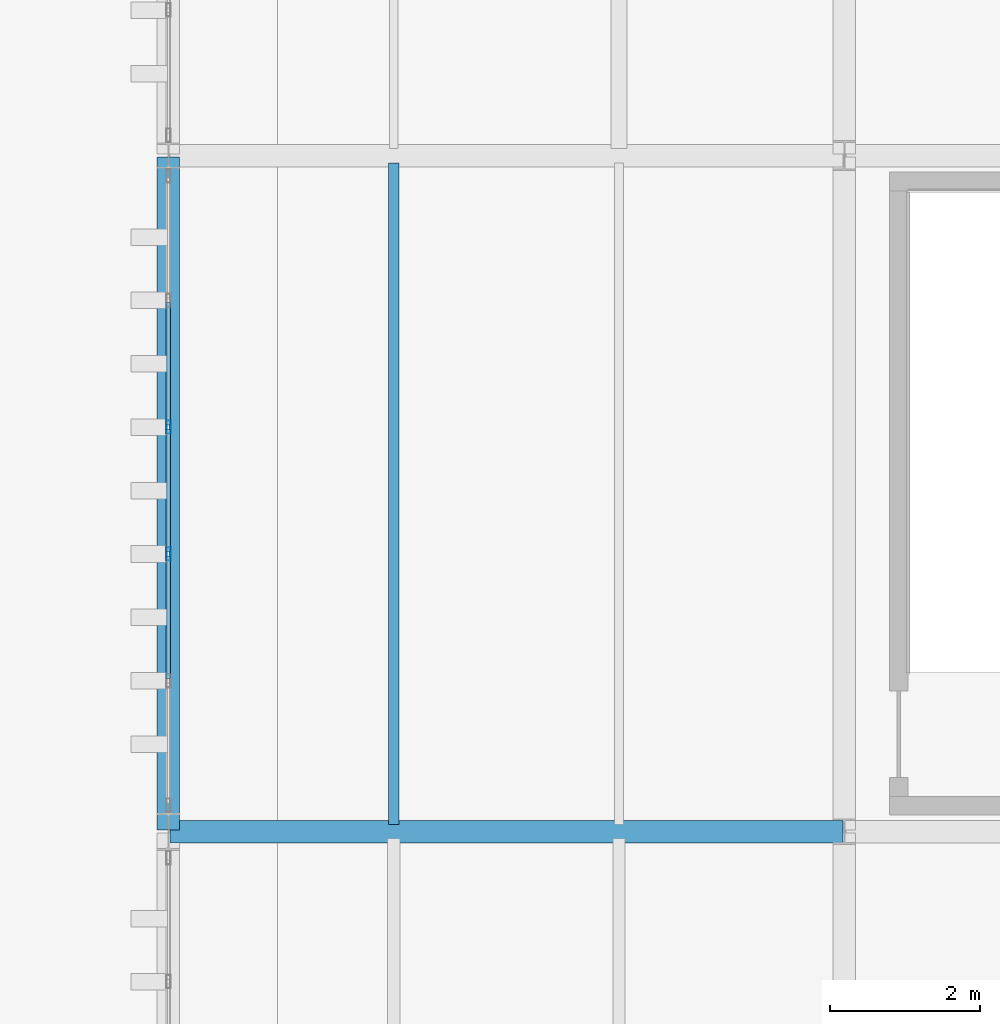
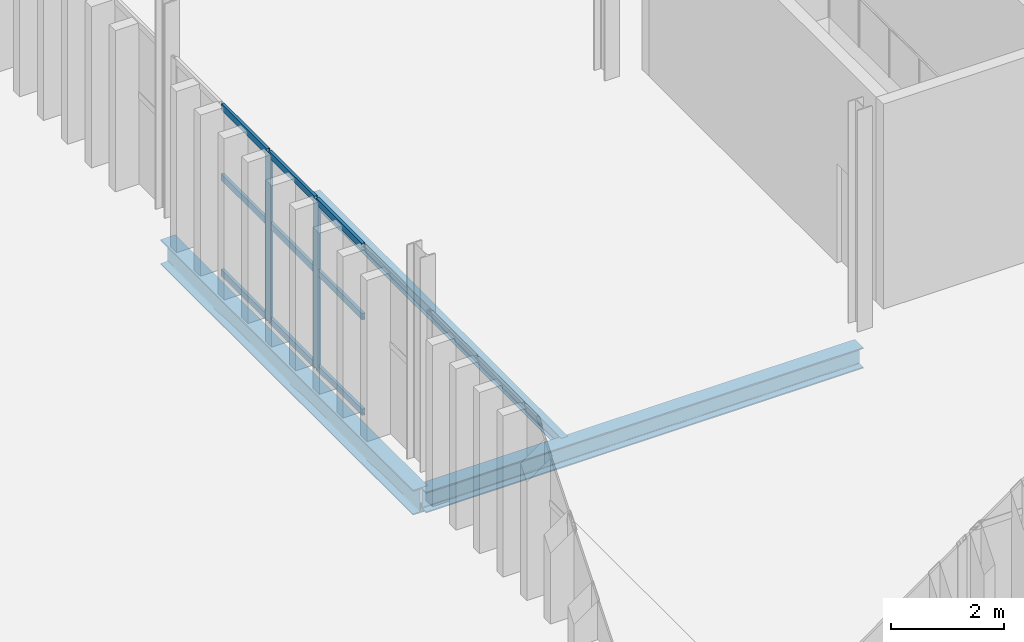
# One storey, part 105 of 196: 11 members, 3 beams, 1 element without a shape of its own.
"""IFC4 building model written with IfcOpenShell, lengths in metres."""

from ifc_helpers import new_model, si_unit, direction, frame, origin, origin_2d, place, context, subcontext, project, spatial, hollow_rectangle, i_section, extrude, material, layer, layer_set, material_profile, profile_set, type_object, element, aggregate, save


model = new_model("IFC4")

# Units and contexts
model_context = context("Model", 3, precision=1e-05, world=origin(), true_north=direction((0.0, 1.0)))
body_context = subcontext(model_context, "Body", "Model", "MODEL_VIEW")
ifc_project = project(units=[si_unit("LENGTHUNIT", "METRE"), si_unit("AREAUNIT", "SQUARE_METRE"), si_unit("VOLUMEUNIT", "CUBIC_METRE"), si_unit("PLANEANGLEUNIT", "RADIAN"), si_unit("MASSUNIT", "GRAM", prefix="KILO")], contexts=[model_context])

# Site, building, storey
site_placement = place(None, origin())
site = spatial("IfcSite", under=ifc_project, at=site_placement, CompositionType="ELEMENT")
building_placement = place(site_placement, origin())
building = spatial("IfcBuilding", under=site, at=building_placement, Name="Barlavento Convention Centre", CompositionType="ELEMENT")
storey_placement = place(building_placement, frame((0.0, 0.0, 18.0)))
storey = spatial("IfcBuildingStorey", under=building, at=storey_placement, Name="L03", CompositionType="ELEMENT", Elevation=18.0)

# Curtain wall, members
ifc_material_1 = material(Name="Powder-coated aluminium and Low-E glass", Category="aluminium")
ifc_layer = layer(ifc_material_1, 0.179931640625)
ifc_layer_set = layer_set([ifc_layer], Name="ARC-CW-CONF-L03")
curtain_wall_type = type_object("IfcCurtainWallType", Name="ARC-CW-CONF-L03", PredefinedType="NOTDEFINED", material=ifc_layer_set)
curtain_wall_placement = place(storey_placement, origin())
curtain_wall = element("IfcCurtainWall", 1, at=curtain_wall_placement, inside=storey, type_object=curtain_wall_type, Name="L03 unitised curtain wall CW08", PredefinedType="NOTDEFINED")
ifc_material_2 = material(Name="Powder-coated aluminium", Category="aluminium")
ifc_material_profile_1 = material_profile(ifc_material_2, hollow_rectangle(XDim=0.06005859375, YDim=0.179931640625, WallThickness=0.0048828125, at=origin_2d()), Name="AL-MULL 60x180x5")
ifc_profile_set_1 = profile_set([ifc_material_profile_1], Name="Powder-coated aluminium")
member_type_1 = type_object("IfcMemberType", Name="ARC-CWM-60X180", PredefinedType="MULLION", material=ifc_profile_set_1)
member_1_placement = place(storey_placement, frame((171.0, 12.696044921875, 0.0), z_axis=(0.0, 0.0, 1.0), x_axis=(-1.0, 0.0, 0.0)))
member_1 = element("IfcMember", 2, at=member_1_placement, type_object=member_type_1, Name="CW08 mullion 3", PredefinedType="MULLION", context=body_context, shape_type="SweptSolid", body=[
    extrude(hollow_rectangle(XDim=0.06005859375, YDim=0.179931640625, WallThickness=0.0048828125, at=origin_2d()), origin(), (0.0, 0.0, 1.0), 3.64990234375),
])
member_2_placement = place(storey_placement, frame((171.0, 14.384033203125, 0.0), z_axis=(0.0, 0.0, 1.0), x_axis=(-1.0, 0.0, 0.0)))
member_2 = element("IfcMember", 3, at=member_2_placement, type_object=member_type_1, Name="CW08 mullion 4", PredefinedType="MULLION", context=body_context, shape_type="SweptSolid", body=[
    extrude(hollow_rectangle(XDim=0.06005859375, YDim=0.179931640625, WallThickness=0.0048828125, at=origin_2d()), origin(), (0.0, 0.0, 1.0), 3.64990234375),
])
ifc_material_profile_2 = material_profile(ifc_material_2, hollow_rectangle(XDim=0.06005859375, YDim=0.139892578125, WallThickness=0.00390625, at=origin_2d()), Name="AL-TRAN 60x140x4")
ifc_profile_set_2 = profile_set([ifc_material_profile_2], Name="Powder-coated aluminium")
member_type_2 = type_object("IfcMemberType", Name="ARC-CWT-60X140", PredefinedType="USERDEFINED", material=ifc_profile_set_2)
member_3_placement = place(storey_placement, frame((171.0, 11.0380859375, 0.030029296875), z_axis=(0.0, 1.0, 0.0), x_axis=(-1.0, 0.0, 0.0)))
member_3 = element("IfcMember", 4, at=member_3_placement, type_object=member_type_2, Name="CW08 transom 2.1", ObjectType="TRANSOM", PredefinedType="USERDEFINED", context=body_context, shape_type="SweptSolid", body=[
    extrude(hollow_rectangle(XDim=0.06005859375, YDim=0.139892578125, WallThickness=0.00390625, at=origin_2d()), origin(), (0.0, 0.0, 1.0), 1.6279296875),
])
member_4_placement = place(storey_placement, frame((171.0, 11.0380859375, 2.10009765625), z_axis=(0.0, 1.0, 0.0), x_axis=(-1.0, 0.0, 0.0)))
member_4 = element("IfcMember", 5, at=member_4_placement, type_object=member_type_2, Name="CW08 transom 2.2", ObjectType="TRANSOM", PredefinedType="USERDEFINED", context=body_context, shape_type="SweptSolid", body=[
    extrude(hollow_rectangle(XDim=0.06005859375, YDim=0.139892578125, WallThickness=0.00390625, at=origin_2d()), origin(), (0.0, 0.0, 1.0), 1.6279296875),
])
member_5_placement = place(storey_placement, frame((171.0, 11.0380859375, 3.6201171875), z_axis=(0.0, 1.0, 0.0), x_axis=(-1.0, 0.0, 0.0)))
member_5 = element("IfcMember", 6, at=member_5_placement, type_object=member_type_2, Name="CW08 transom 2.3", ObjectType="TRANSOM", PredefinedType="USERDEFINED", context=body_context, shape_type="SweptSolid", body=[
    extrude(hollow_rectangle(XDim=0.06005859375, YDim=0.139892578125, WallThickness=0.00390625, at=origin_2d()), origin(), (0.0, 0.0, 1.0), 1.6279296875),
])
member_6_placement = place(storey_placement, frame((171.0, 12.72607421875, 0.030029296875), z_axis=(0.0, 1.0, 0.0), x_axis=(-1.0, 0.0, 0.0)))
member_6 = element("IfcMember", 7, at=member_6_placement, type_object=member_type_2, Name="CW08 transom 3.1", ObjectType="TRANSOM", PredefinedType="USERDEFINED", context=body_context, shape_type="SweptSolid", body=[
    extrude(hollow_rectangle(XDim=0.06005859375, YDim=0.139892578125, WallThickness=0.00390625, at=origin_2d()), origin(), (0.0, 0.0, 1.0), 1.6279296875),
])
member_7_placement = place(storey_placement, frame((171.0, 12.72607421875, 2.10009765625), z_axis=(0.0, 1.0, 0.0), x_axis=(-1.0, 0.0, 0.0)))
member_7 = element("IfcMember", 8, at=member_7_placement, type_object=member_type_2, Name="CW08 transom 3.2", ObjectType="TRANSOM", PredefinedType="USERDEFINED", context=body_context, shape_type="SweptSolid", body=[
    extrude(hollow_rectangle(XDim=0.06005859375, YDim=0.139892578125, WallThickness=0.00390625, at=origin_2d()), origin(), (0.0, 0.0, 1.0), 1.6279296875),
])
member_8_placement = place(storey_placement, frame((171.0, 12.72607421875, 3.6201171875), z_axis=(0.0, 1.0, 0.0), x_axis=(-1.0, 0.0, 0.0)))
member_8 = element("IfcMember", 9, at=member_8_placement, type_object=member_type_2, Name="CW08 transom 3.3", ObjectType="TRANSOM", PredefinedType="USERDEFINED", context=body_context, shape_type="SweptSolid", body=[
    extrude(hollow_rectangle(XDim=0.06005859375, YDim=0.139892578125, WallThickness=0.00390625, at=origin_2d()), origin(), (0.0, 0.0, 1.0), 1.6279296875),
])
member_9_placement = place(storey_placement, frame((171.0, 14.4140625, 0.030029296875), z_axis=(0.0, 1.0, 0.0), x_axis=(-1.0, 0.0, 0.0)))
member_9 = element("IfcMember", 10, at=member_9_placement, type_object=member_type_2, Name="CW08 transom 4.1", ObjectType="TRANSOM", PredefinedType="USERDEFINED", context=body_context, shape_type="SweptSolid", body=[
    extrude(hollow_rectangle(XDim=0.06005859375, YDim=0.139892578125, WallThickness=0.00390625, at=origin_2d()), origin(), (0.0, 0.0, 1.0), 1.6279296875),
])
member_10_placement = place(storey_placement, frame((171.0, 14.4140625, 2.10009765625), z_axis=(0.0, 1.0, 0.0), x_axis=(-1.0, 0.0, 0.0)))
member_10 = element("IfcMember", 11, at=member_10_placement, type_object=member_type_2, Name="CW08 transom 4.2", ObjectType="TRANSOM", PredefinedType="USERDEFINED", context=body_context, shape_type="SweptSolid", body=[
    extrude(hollow_rectangle(XDim=0.06005859375, YDim=0.139892578125, WallThickness=0.00390625, at=origin_2d()), origin(), (0.0, 0.0, 1.0), 1.6279296875),
])
member_11_placement = place(storey_placement, frame((171.0, 14.4140625, 3.6201171875), z_axis=(0.0, 1.0, 0.0), x_axis=(-1.0, 0.0, 0.0)))
member_11 = element("IfcMember", 12, at=member_11_placement, type_object=member_type_2, Name="CW08 transom 4.3", ObjectType="TRANSOM", PredefinedType="USERDEFINED", context=body_context, shape_type="SweptSolid", body=[
    extrude(hollow_rectangle(XDim=0.06005859375, YDim=0.139892578125, WallThickness=0.00390625, at=origin_2d()), origin(), (0.0, 0.0, 1.0), 1.6279296875),
])
aggregate(curtain_wall, [member_1, member_2, member_3, member_4, member_5, member_6, member_7, member_8, member_9, member_10, member_11])

# Beams
ifc_material_3 = material(Name="Steel S355", Category="steel")
ifc_material_profile_3 = material_profile(ifc_material_3, i_section(OverallWidth=0.135009765625, OverallDepth=0.27001953125, WebThickness=0.006591796875, FlangeThickness=0.01025390625, FilletRadius=0.014892578125, at=origin_2d()), Name="IPE 270")
ifc_profile_set_3 = profile_set([ifc_material_profile_3], Name="Steel S355")
beam_type_1 = type_object("IfcBeamType", Name="STR-BM-JST-IPE270", PredefinedType="JOIST", material=ifc_profile_set_3)
beam_1_placement = place(storey_placement, frame((174.0, 9.094970703125, -0.52490234375), z_axis=(0.0, 1.0, 0.0), x_axis=(-1.0, 0.0, 0.0)))
element("IfcBeam", 13, at=beam_1_placement, inside=storey, type_object=beam_type_1, Name="L03 composite floor joist SJ08", PredefinedType="JOIST", context=body_context, shape_type="SweptSolid", body=[
    extrude(i_section(OverallWidth=0.135009765625, OverallDepth=0.27001953125, WebThickness=0.006591796875, FlangeThickness=0.01025390625, FilletRadius=0.014892578125, at=origin_2d()), origin(), (0.0, 0.0, 1.0), 8.81005859375),
])
ifc_material_profile_4 = material_profile(ifc_material_3, i_section(OverallWidth=0.300048828125, OverallDepth=0.5400390625, WebThickness=0.012451171875, FlangeThickness=0.02392578125, FilletRadius=0.027099609375, at=origin_2d()), Name="HEA 550")
ifc_profile_set_4 = profile_set([ifc_material_profile_4], Name="Steel S355")
beam_type_2 = type_object("IfcBeamType", Name="STR-BM-PRI-HEA550", PredefinedType="BEAM", material=ifc_profile_set_4)
beam_2_placement = place(storey_placement, frame((171.0, 9.02001953125, -0.659912109375), z_axis=(0.0, 1.0, 0.0), x_axis=(-1.0, 0.0, 0.0)))
element("IfcBeam", 14, at=beam_2_placement, inside=storey, type_object=beam_type_2, Name="L03 grid girder BG19", PredefinedType="BEAM", context=body_context, shape_type="SweptSolid", body=[
    extrude(i_section(OverallWidth=0.300048828125, OverallDepth=0.5400390625, WebThickness=0.012451171875, FlangeThickness=0.02392578125, FilletRadius=0.027099609375, at=origin_2d()), origin(), (0.0, 0.0, 1.0), 8.9599609375),
])
ifc_material_profile_5 = material_profile(ifc_material_3, i_section(OverallWidth=0.300048828125, OverallDepth=0.449951171875, WebThickness=0.013916015625, FlangeThickness=0.02587890625, FilletRadius=0.027099609375, at=origin_2d()), Name="HEB 450")
ifc_profile_set_5 = profile_set([ifc_material_profile_5], Name="Steel S355")
beam_type_3 = type_object("IfcBeamType", Name="STR-BM-PRI-HEB450", PredefinedType="BEAM", material=ifc_profile_set_5)
beam_3_placement = place(storey_placement, frame((171.02001953125, 9.0, -0.614990234375), z_axis=(1.0, 0.0, 0.0), x_axis=(0.0, 1.0, 0.0)))
element("IfcBeam", 15, at=beam_3_placement, inside=storey, type_object=beam_type_3, Name="L03 primary girder BG10", PredefinedType="BEAM", context=body_context, shape_type="SweptSolid", body=[
    extrude(i_section(OverallWidth=0.300048828125, OverallDepth=0.449951171875, WebThickness=0.013916015625, FlangeThickness=0.02587890625, FilletRadius=0.027099609375, at=origin_2d()), origin(), (0.0, 0.0, 1.0), 8.9599609375),
])

save(model, "model.ifc")
